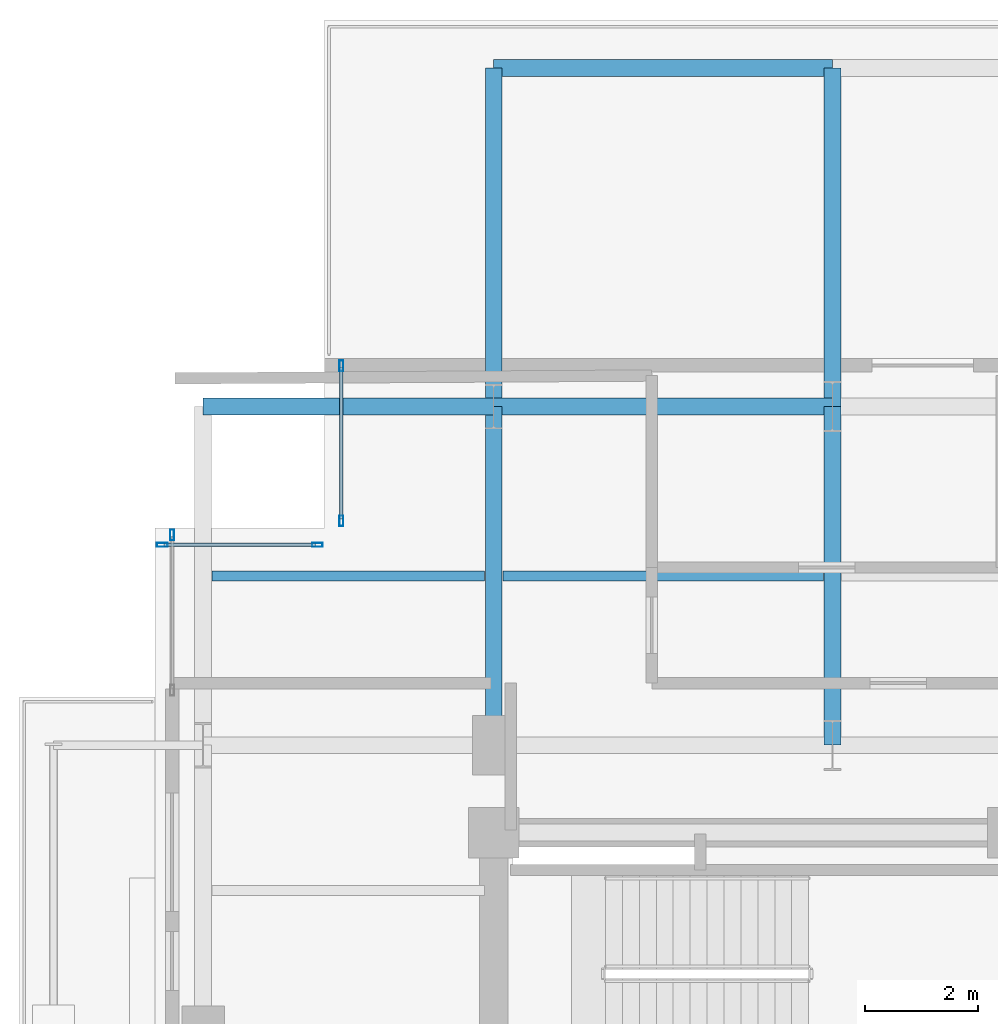
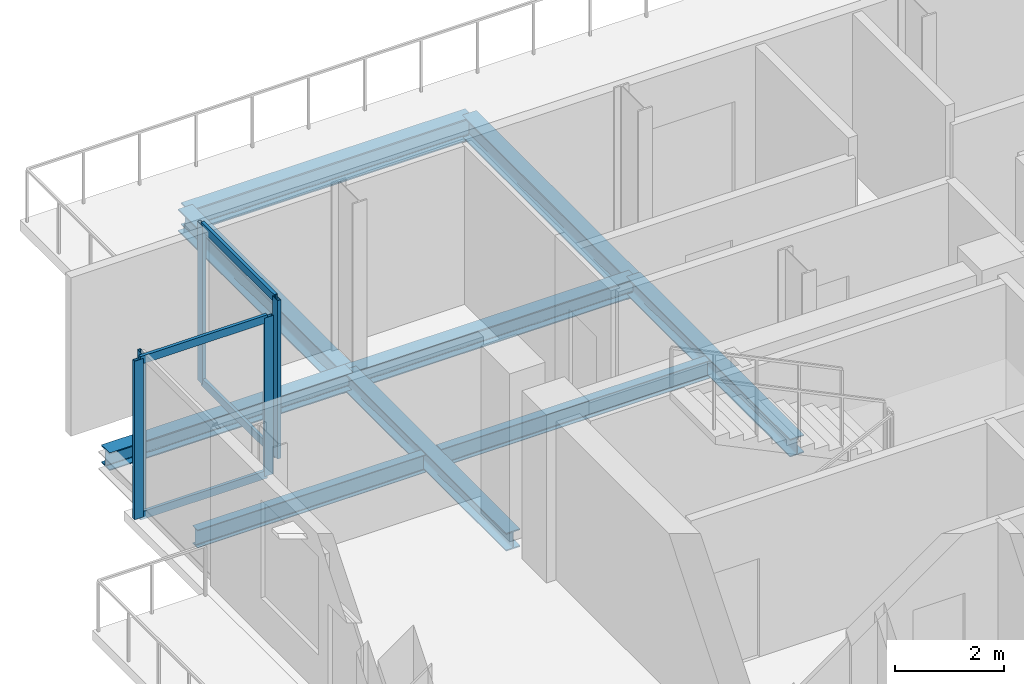
# One storey, part 15 of 28: 9 beams, 9 members, 3 elements without a shape of their own.
"""IFC4 building model written with IfcOpenShell, lengths in metres."""

from ifc_helpers import new_model, si_unit, direction, frame, origin, origin_2d, place, context, subcontext, project, spatial, hollow_rectangle, i_section, extrude, material, layer, layer_set, material_profile, profile_set, type_object, element, aggregate, save


model = new_model("IFC4")

# Units and contexts
model_context = context("Model", 3, precision=1e-05, world=origin(), true_north=direction((0.0, 1.0)))
body_context = subcontext(model_context, "Body", "Model", "MODEL_VIEW")
ifc_project = project(units=[si_unit("LENGTHUNIT", "METRE"), si_unit("AREAUNIT", "SQUARE_METRE"), si_unit("VOLUMEUNIT", "CUBIC_METRE"), si_unit("PLANEANGLEUNIT", "RADIAN"), si_unit("MASSUNIT", "GRAM", prefix="KILO"), si_unit("THERMODYNAMICTEMPERATUREUNIT", "KELVIN"), si_unit("POWERUNIT", "WATT")], contexts=[model_context])

# Site, building, storey
site_placement = place(None, origin())
site = spatial("IfcSite", under=ifc_project, at=site_placement, CompositionType="ELEMENT")
building_placement = place(site_placement, origin())
building = spatial("IfcBuilding", under=site, at=building_placement, Name="Svarakhadi Broadcast Tower", CompositionType="ELEMENT")
storey_placement = place(building_placement, frame((0.0, 0.0, 169.199951171875)))
storey = spatial("IfcBuildingStorey", under=building, at=storey_placement, Name="L41", CompositionType="ELEMENT", Elevation=169.199951171875)

# Beams
ifc_material_1 = material(Name="Steel S355J2 (IS 2062 E350C)", Category="steel")
ifc_material_profile_1 = material_profile(ifc_material_1, i_section(OverallWidth=0.179931640625, OverallDepth=0.39990234375, WebThickness=0.008544921875, FlangeThickness=0.013427734375, FilletRadius=0.02099609375, at=origin_2d()), Name="NPB 400x180x66")
ifc_profile_set_1 = profile_set([ifc_material_profile_1], Name="Steel S355J2 (IS 2062 E350C)")
beam_type_1 = type_object("IfcBeamType", Name="Beam_NPB400", PredefinedType="BEAM", material=ifc_profile_set_1)
beam_1_placement = place(storey_placement, frame((1.010009765625, 32.14990234375, -0.409912109375), z_axis=(1.0, 0.0, 0.0), x_axis=(0.0, 1.0, 0.0)))
element("IfcBeam", 1, at=beam_1_placement, inside=storey, type_object=beam_type_1, Name="L41 Secondary Composite Beam SB005", PredefinedType="BEAM", context=body_context, shape_type="SweptSolid", body=[
    extrude(i_section(OverallWidth=0.179931640625, OverallDepth=0.39990234375, WebThickness=0.008544921875, FlangeThickness=0.013427734375, FilletRadius=0.02099609375, at=origin_2d()), origin(), (0.0, 0.0, 1.0), 4.830078125),
])
beam_2_placement = place(storey_placement, frame((6.159912109375, 32.14990234375, -0.409912109375), z_axis=(1.0, 0.0, 0.0), x_axis=(0.0, 1.0, 0.0)))
element("IfcBeam", 2, at=beam_2_placement, inside=storey, type_object=beam_type_1, Name="L41 Secondary Composite Beam SB009", PredefinedType="BEAM", context=body_context, shape_type="SweptSolid", body=[
    extrude(i_section(OverallWidth=0.179931640625, OverallDepth=0.39990234375, WebThickness=0.008544921875, FlangeThickness=0.013427734375, FilletRadius=0.02099609375, at=origin_2d()), origin(), (0.0, 0.0, 1.0), 5.68017578125),
])

# Curtain wall, member
ifc_material_2 = material(Name="Anodised Bronze Aluminium AA 6063-T6", Category="aluminium")
ifc_layer = layer(ifc_material_2, 0.18994140625)
ifc_layer_set = layer_set([ifc_layer], Name="Anodised Bronze Aluminium AA 6063-T6")
curtain_wall_type = type_object("IfcCurtainWallType", Name="CW_Sys_04", PredefinedType="NOTDEFINED", material=ifc_layer_set)
curtain_wall_1_placement = place(storey_placement, origin())
curtain_wall_1 = element("IfcCurtainWall", 3, at=curtain_wall_1_placement, inside=storey, type_object=curtain_wall_type, Name="L41 West Curtain Wall 03", PredefinedType="NOTDEFINED")
ifc_material_profile_2 = material_profile(ifc_material_2, hollow_rectangle(XDim=0.070068359375, YDim=0.18994140625, WallThickness=0.005615234375, at=origin_2d()), Name="ALU MULLION 190x70x6")
ifc_profile_set_2 = profile_set([ifc_material_profile_2], Name="Anodised Bronze Aluminium AA 6063-T6")
member_type_1 = type_object("IfcMemberType", Name="CW_Sys_04_Mul", PredefinedType="MULLION", material=ifc_profile_set_2)
member_1_placement = place(storey_placement, frame((0.300048828125, 32.875, 0.0), z_axis=(0.0, 0.0, 1.0), x_axis=(-1.0, 0.0, 0.0)))
member_1 = element("IfcMember", 4, at=member_1_placement, type_object=member_type_1, Name="CW-04 mullion 2", PredefinedType="MULLION", context=body_context, shape_type="SweptSolid", body=[
    extrude(hollow_rectangle(XDim=0.070068359375, YDim=0.18994140625, WallThickness=0.005615234375, at=origin_2d()), origin(), (0.0, 0.0, 1.0), 3.5400390625),
])
aggregate(curtain_wall_1, [member_1])

# Curtain wall, members
curtain_wall_2_placement = place(storey_placement, origin())
curtain_wall_2 = element("IfcCurtainWall", 5, at=curtain_wall_2_placement, inside=storey, type_object=curtain_wall_type, Name="L41 Unitised Facade Curtain Wall 04", PredefinedType="NOTDEFINED")
member_2_placement = place(storey_placement, frame((0.125, 32.699951171875, 0.0), z_axis=(0.0, 0.0, 1.0), x_axis=(0.0, 1.0, 0.0)))
member_2 = element("IfcMember", 6, at=member_2_placement, type_object=member_type_1, Name="CW-04 mullion 1", PredefinedType="MULLION", context=body_context, shape_type="SweptSolid", body=[
    extrude(hollow_rectangle(XDim=0.070068359375, YDim=0.18994140625, WallThickness=0.005615234375, at=origin_2d()), origin(), (0.0, 0.0, 1.0), 3.5400390625),
])
member_3_placement = place(storey_placement, frame((2.875, 32.699951171875, 0.0), z_axis=(0.0, 0.0, 1.0), x_axis=(0.0, 1.0, 0.0)))
member_3 = element("IfcMember", 7, at=member_3_placement, type_object=member_type_1, Name="CW-04 mullion 2", PredefinedType="MULLION", context=body_context, shape_type="SweptSolid", body=[
    extrude(hollow_rectangle(XDim=0.070068359375, YDim=0.18994140625, WallThickness=0.005615234375, at=origin_2d()), origin(), (0.0, 0.0, 1.0), 3.5400390625),
])

curtain_wall_3_placement = place(storey_placement, origin())
curtain_wall_3 = element("IfcCurtainWall", 8, at=curtain_wall_3_placement, inside=storey, type_object=curtain_wall_type, Name="L41 Unitised Facade Curtain Wall 05", PredefinedType="NOTDEFINED")
member_4_placement = place(storey_placement, frame((3.300048828125, 33.125, 0.0), z_axis=(0.0, 0.0, 1.0), x_axis=(-1.0, 0.0, 0.0)))
member_4 = element("IfcMember", 9, at=member_4_placement, type_object=member_type_1, Name="CW-04 mullion 1", PredefinedType="MULLION", context=body_context, shape_type="SweptSolid", body=[
    extrude(hollow_rectangle(XDim=0.070068359375, YDim=0.18994140625, WallThickness=0.005615234375, at=origin_2d()), origin(), (0.0, 0.0, 1.0), 3.5400390625),
])
member_5_placement = place(storey_placement, frame((3.300048828125, 35.875, 0.0), z_axis=(0.0, 0.0, 1.0), x_axis=(-1.0, 0.0, 0.0)))
member_5 = element("IfcMember", 10, at=member_5_placement, type_object=member_type_1, Name="CW-04 mullion 2", PredefinedType="MULLION", context=body_context, shape_type="SweptSolid", body=[
    extrude(hollow_rectangle(XDim=0.070068359375, YDim=0.18994140625, WallThickness=0.005615234375, at=origin_2d()), origin(), (0.0, 0.0, 1.0), 3.5400390625),
])

# Member
ifc_material_profile_3 = material_profile(ifc_material_2, hollow_rectangle(XDim=0.06494140625, YDim=0.175048828125, WallThickness=0.0048828125, at=origin_2d()), Name="ALU TRANSOM 175x65x5")
ifc_profile_set_3 = profile_set([ifc_material_profile_3], Name="Anodised Bronze Aluminium AA 6063-T6")
member_type_2 = type_object("IfcMemberType", Name="CW_Sys_04_Trn", PredefinedType="USERDEFINED", material=ifc_profile_set_3)
member_6_placement = place(storey_placement, frame((0.159912109375, 32.699951171875, 0.032470703125), z_axis=(1.0, 0.0, 0.0), x_axis=(0.0, 1.0, 0.0)))
member_6 = element("IfcMember", 11, at=member_6_placement, type_object=member_type_2, Name="CW-04 transom 1.1", ObjectType="TRANSOM", PredefinedType="USERDEFINED", context=body_context, shape_type="SweptSolid", body=[
    extrude(hollow_rectangle(XDim=0.06494140625, YDim=0.175048828125, WallThickness=0.0048828125, at=origin_2d()), origin(), (0.0, 0.0, 1.0), 2.68017578125),
])

member_7_placement = place(storey_placement, frame((0.159912109375, 32.699951171875, 3.507568359375), z_axis=(1.0, 0.0, 0.0), x_axis=(0.0, 1.0, 0.0)))
member_7 = element("IfcMember", 12, at=member_7_placement, type_object=member_type_2, Name="CW-04 transom 1.2", ObjectType="TRANSOM", PredefinedType="USERDEFINED", context=body_context, shape_type="SweptSolid", body=[
    extrude(hollow_rectangle(XDim=0.06494140625, YDim=0.175048828125, WallThickness=0.0048828125, at=origin_2d()), origin(), (0.0, 0.0, 1.0), 2.68017578125),
])

aggregate(curtain_wall_2, [member_2, member_3, member_6, member_7])

member_8_placement = place(storey_placement, frame((3.300048828125, 33.159912109375, 0.032470703125), z_axis=(0.0, 1.0, 0.0), x_axis=(-1.0, 0.0, 0.0)))
member_8 = element("IfcMember", 13, at=member_8_placement, type_object=member_type_2, Name="CW-04 transom 1.1", ObjectType="TRANSOM", PredefinedType="USERDEFINED", context=body_context, shape_type="SweptSolid", body=[
    extrude(hollow_rectangle(XDim=0.06494140625, YDim=0.175048828125, WallThickness=0.0048828125, at=origin_2d()), origin(), (0.0, 0.0, 1.0), 2.68017578125),
])

member_9_placement = place(storey_placement, frame((3.300048828125, 33.159912109375, 3.507568359375), z_axis=(0.0, 1.0, 0.0), x_axis=(-1.0, 0.0, 0.0)))
member_9 = element("IfcMember", 14, at=member_9_placement, type_object=member_type_2, Name="CW-04 transom 1.2", ObjectType="TRANSOM", PredefinedType="USERDEFINED", context=body_context, shape_type="SweptSolid", body=[
    extrude(hollow_rectangle(XDim=0.06494140625, YDim=0.175048828125, WallThickness=0.0048828125, at=origin_2d()), origin(), (0.0, 0.0, 1.0), 2.68017578125),
])

aggregate(curtain_wall_3, [member_4, member_5, member_8, member_9])

# Beams
ifc_material_profile_4 = material_profile(ifc_material_1, i_section(OverallWidth=0.300048828125, OverallDepth=0.39990234375, WebThickness=0.013427734375, FlangeThickness=0.02392578125, FilletRadius=0.027099609375, at=origin_2d()), Name="WPB 400x300x155")
ifc_profile_set_4 = profile_set([ifc_material_profile_4], Name="Steel S355J2 (IS 2062 E350C)")
beam_type_2 = type_object("IfcBeamType", Name="Girder_WPB400", PredefinedType="USERDEFINED", material=ifc_profile_set_4)
beam_3_placement = place(storey_placement, frame((0.85009765625, 35.14990234375, -0.409912109375), z_axis=(1.0, 0.0, 0.0), x_axis=(0.0, 1.0, 0.0)))
element("IfcBeam", 15, at=beam_3_placement, inside=storey, type_object=beam_type_2, Name="L41 Primary E-W Girder G032", ObjectType="GIRDER", PredefinedType="USERDEFINED", context=body_context, shape_type="SweptSolid", body=[
    extrude(i_section(OverallWidth=0.300048828125, OverallDepth=0.39990234375, WebThickness=0.013427734375, FlangeThickness=0.02392578125, FilletRadius=0.027099609375, at=origin_2d()), origin(), (0.0, 0.0, 1.0), 5.14990234375),
])
for number, where, z_axis, x_axis, name in (
    (16, (6.0, 35.14990234375, -0.409912109375), (1.0, 0.0, 0.0), (0.0, 1.0, 0.0), "L41 Primary E-W Girder G033"),
    (17, (6.0, 29.14990234375, -0.409912109375), (0.0, 1.0, 0.0), (-1.0, 0.0, 0.0), "L41 Primary N-S Girder G044"),
    (18, (12.0, 29.14990234375, -0.409912109375), (0.0, 1.0, 0.0), (-1.0, 0.0, 0.0), "L41 Primary N-S Girder G048"),
):
    element("IfcBeam", number, at=place(storey_placement, frame(where, z_axis=z_axis, x_axis=x_axis)), inside=storey, type_object=beam_type_2, Name=name, ObjectType="GIRDER", PredefinedType="USERDEFINED", context=body_context, shape_type="SweptSolid", body=[
        extrude(i_section(OverallWidth=0.300048828125, OverallDepth=0.39990234375, WebThickness=0.013427734375, FlangeThickness=0.02392578125, FilletRadius=0.027099609375, at=origin_2d()), origin(), (0.0, 0.0, 1.0), 6.0),
    ])
ifc_material_profile_5 = material_profile(ifc_material_1, i_section(OverallWidth=0.300048828125, OverallDepth=0.5, WebThickness=0.014404296875, FlangeThickness=0.028076171875, FilletRadius=0.027099609375, at=origin_2d()), Name="WPB 500x300x187")
ifc_profile_set_5 = profile_set([ifc_material_profile_5], Name="Steel S355J2 (IS 2062 E350C)")
beam_type_3 = type_object("IfcBeamType", Name="Girder_WPB500", PredefinedType="USERDEFINED", material=ifc_profile_set_5)
for number, where, z_axis, x_axis, name in (
    (19, (6.0, 35.14990234375, -0.489990234375), (0.0, 1.0, 0.0), (-1.0, 0.0, 0.0), "L41 North Setback Terrace Bearer Girder"),
    (20, (12.0, 35.14990234375, -0.489990234375), (0.0, 1.0, 0.0), (-1.0, 0.0, 0.0), "L41 North Setback Terrace Bearer Girder"),
    (21, (6.0, 41.14990234375, -0.489990234375), (1.0, 0.0, 0.0), (0.0, 1.0, 0.0), "L41 North Setback Terrace Rim Girder 1"),
):
    element("IfcBeam", number, at=place(storey_placement, frame(where, z_axis=z_axis, x_axis=x_axis)), inside=storey, type_object=beam_type_3, Name=name, ObjectType="GIRDER", PredefinedType="USERDEFINED", context=body_context, shape_type="SweptSolid", body=[
        extrude(i_section(OverallWidth=0.300048828125, OverallDepth=0.5, WebThickness=0.014404296875, FlangeThickness=0.028076171875, FilletRadius=0.027099609375, at=origin_2d()), origin(), (0.0, 0.0, 1.0), 6.0),
    ])

save(model, "model.ifc")
